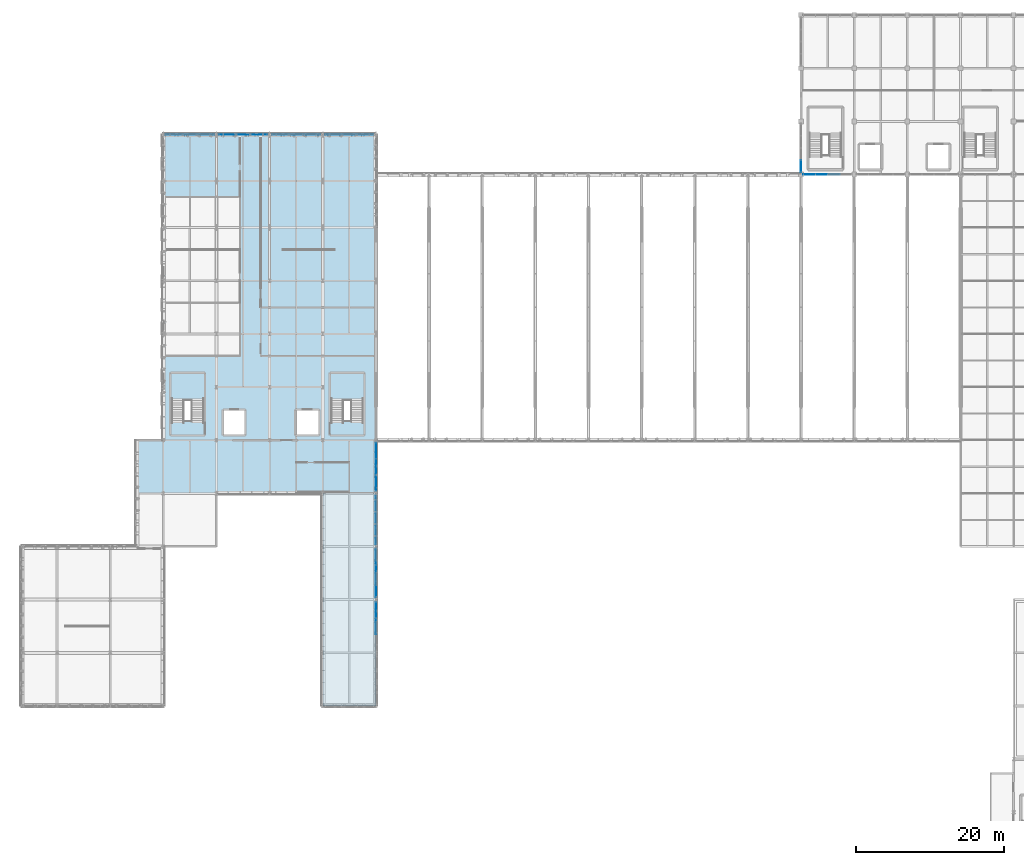
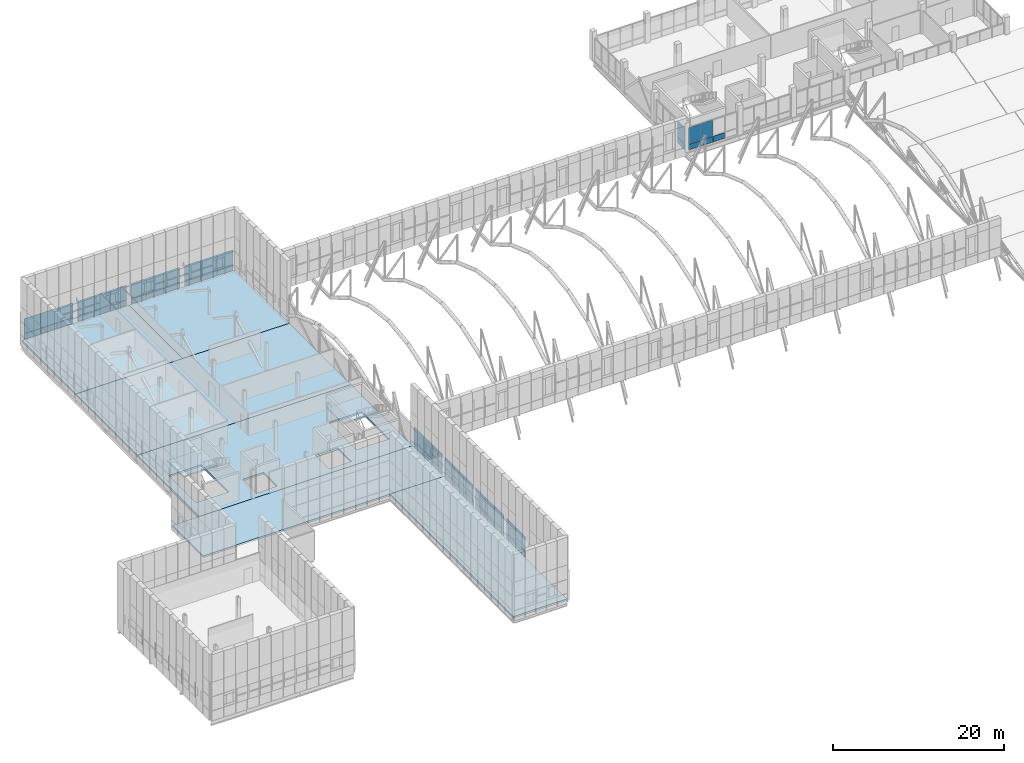
# One storey, part 92 of 144: 53 plates, 8 slabs, 12 elements without a shape of their own.
"""IFC4 building model written with IfcOpenShell, lengths in metres."""

from ifc_helpers import new_model, si_unit, direction, frame, origin, origin_2d, place, context, subcontext, project, spatial, polyline, rectangle, outline, extrude, material, layer, layer_set, type_object, element, aggregate, save


model = new_model("IFC4")

# Units and contexts
model_context = context("Model", 3, precision=1e-05, world=origin(), true_north=direction((0.0, 1.0)))
body_context = subcontext(model_context, "Body", "Model", "MODEL_VIEW")
ifc_project = project(units=[si_unit("LENGTHUNIT", "METRE"), si_unit("AREAUNIT", "SQUARE_METRE"), si_unit("VOLUMEUNIT", "CUBIC_METRE"), si_unit("PLANEANGLEUNIT", "RADIAN"), si_unit("MASSUNIT", "GRAM", prefix="KILO")], contexts=[model_context])

# Site, building, storey
site_placement = place(None, origin())
site = spatial("IfcSite", under=ifc_project, at=site_placement, CompositionType="ELEMENT")
building_placement = place(site_placement, origin())
building = spatial("IfcBuilding", under=site, at=building_placement, Name="Yarey Park Central Fire Station", CompositionType="ELEMENT")
storey_placement = place(building_placement, frame((0.0, 0.0, 10.199951171875)))
storey = spatial("IfcBuildingStorey", under=building, at=storey_placement, Name="L03", CompositionType="ELEMENT", Elevation=10.199951171875)

# Curtain wall, plates
ifc_material_1 = material(Name="Anodized Aluminium Frame", Category="aluminium")
curtain_wall_type_1 = type_object("IfcCurtainWallType", Name="ENV_CW_V3_OVR1", PredefinedType="NOTDEFINED", material=ifc_material_1)
curtain_wall_1_placement = place(storey_placement, origin())
curtain_wall_1 = element("IfcCurtainWall", 1, at=curtain_wall_1_placement, inside=storey, type_object=curtain_wall_type_1, Name="CW_L03_V3_N_044", PredefinedType="NOTDEFINED")
ifc_material_2 = material(Name="Insulated Aluminium Spandrel Panel", Category="aluminium")
ifc_layer_1 = layer(ifc_material_2, 0.055908203125)
ifc_layer_set_1 = layer_set([ifc_layer_1], Name="Insulated Aluminium Spandrel Panel")
plate_type_1 = type_object("IfcPlateType", Name="ENV_PNL_SPN_01", PredefinedType="CURTAIN_PANEL", material=ifc_layer_set_1)
plate_1_placement = place(storey_placement, frame((41.793212890625, 99.0, 0.04248046875), z_axis=(0.0, 0.0, 1.0), x_axis=(-1.0, 0.0, 0.0)))
plate_1 = element("IfcPlate", 2, at=plate_1_placement, type_object=plate_type_1, Name="CW_L03_V3_N_044_PNL01", PredefinedType="CURTAIN_PANEL", context=body_context, shape_type="SweptSolid", body=[
    extrude(rectangle(XDim=2.1533203125, YDim=0.055908203125, at=origin_2d()), origin(), (0.0, 0.0, 1.0), 0.7900390625),
])
plate_2_placement = place(storey_placement, frame((39.60009765625, 99.0, 0.04248046875), z_axis=(0.0, 0.0, 1.0), x_axis=(-1.0, 0.0, 0.0)))
plate_2 = element("IfcPlate", 3, at=plate_2_placement, type_object=plate_type_1, Name="CW_L03_V3_N_044_PNL03", PredefinedType="CURTAIN_PANEL", context=body_context, shape_type="SweptSolid", body=[
    extrude(rectangle(XDim=2.1533203125, YDim=0.055908203125, at=origin_2d()), origin(), (0.0, 0.0, 1.0), 0.7900390625),
])
plate_3_placement = place(storey_placement, frame((37.40673828125, 99.0, 0.04248046875), z_axis=(0.0, 0.0, 1.0), x_axis=(-1.0, 0.0, 0.0)))
plate_3 = element("IfcPlate", 4, at=plate_3_placement, type_object=plate_type_1, Name="CW_L03_V3_N_044_PNL05", PredefinedType="CURTAIN_PANEL", context=body_context, shape_type="SweptSolid", body=[
    extrude(rectangle(XDim=2.1533203125, YDim=0.055908203125, at=origin_2d()), origin(), (0.0, 0.0, 1.0), 0.7900390625),
])

curtain_wall_2_placement = place(storey_placement, origin())
curtain_wall_2 = element("IfcCurtainWall", 5, at=curtain_wall_2_placement, inside=storey, type_object=curtain_wall_type_1, Name="CW_L03_V1_E_060", PredefinedType="NOTDEFINED")
plate_4_placement = place(storey_placement, frame((57.60009765625, 51.806640625, 0.04248046875), z_axis=(0.0, 0.0, 1.0), x_axis=(0.0, 1.0, 0.0)))
plate_4 = element("IfcPlate", 6, at=plate_4_placement, type_object=plate_type_1, Name="CW_L03_V1_E_060_PNL01", PredefinedType="CURTAIN_PANEL", context=body_context, shape_type="SweptSolid", body=[
    extrude(rectangle(XDim=2.1533203125, YDim=0.055908203125, at=origin_2d()), origin(), (0.0, 0.0, 1.0), 0.7900390625),
])
plate_5_placement = place(storey_placement, frame((57.60009765625, 54.0, 0.04248046875), z_axis=(0.0, 0.0, 1.0), x_axis=(0.0, 1.0, 0.0)))
plate_5 = element("IfcPlate", 7, at=plate_5_placement, type_object=plate_type_1, Name="CW_L03_V1_E_060_PNL03", PredefinedType="CURTAIN_PANEL", context=body_context, shape_type="SweptSolid", body=[
    extrude(rectangle(XDim=2.1533203125, YDim=0.055908203125, at=origin_2d()), origin(), (0.0, 0.0, 1.0), 0.7900390625),
])
plate_6_placement = place(storey_placement, frame((57.60009765625, 56.193359375, 0.04248046875), z_axis=(0.0, 0.0, 1.0), x_axis=(0.0, 1.0, 0.0)))
plate_6 = element("IfcPlate", 8, at=plate_6_placement, type_object=plate_type_1, Name="CW_L03_V1_E_060_PNL05", PredefinedType="CURTAIN_PANEL", context=body_context, shape_type="SweptSolid", body=[
    extrude(rectangle(XDim=2.1533203125, YDim=0.055908203125, at=origin_2d()), origin(), (0.0, 0.0, 1.0), 0.7900390625),
])

curtain_wall_3_placement = place(storey_placement, origin())
curtain_wall_3 = element("IfcCurtainWall", 9, at=curtain_wall_3_placement, inside=storey, type_object=curtain_wall_type_1, Name="CW_L03_V3_N_045", PredefinedType="NOTDEFINED")
ifc_layer_2 = layer(ifc_material_2, 0.068115234375)
ifc_layer_set_2 = layer_set([ifc_layer_2], Name="Insulated Aluminium Spandrel Panel")
plate_type_2 = type_object("IfcPlateType", Name="ENV_PNL_SPN_02", PredefinedType="CURTAIN_PANEL", material=ifc_layer_set_2)
plate_7_placement = place(storey_placement, frame((48.993408203125, 99.0, 0.04248046875), z_axis=(0.0, 0.0, 1.0), x_axis=(-1.0, 0.0, 0.0)))
plate_7 = element("IfcPlate", 10, at=plate_7_placement, type_object=plate_type_2, Name="CW_L03_V3_N_045_PNL01", PredefinedType="CURTAIN_PANEL", context=body_context, shape_type="SweptSolid", body=[
    extrude(rectangle(XDim=2.1533203125, YDim=0.068115234375, at=origin_2d()), origin(), (0.0, 0.0, 1.0), 0.7900390625),
])
plate_8_placement = place(storey_placement, frame((46.800048828125, 99.0, 0.04248046875), z_axis=(0.0, 0.0, 1.0), x_axis=(-1.0, 0.0, 0.0)))
plate_8 = element("IfcPlate", 11, at=plate_8_placement, type_object=plate_type_2, Name="CW_L03_V3_N_045_PNL03", PredefinedType="CURTAIN_PANEL", context=body_context, shape_type="SweptSolid", body=[
    extrude(rectangle(XDim=2.1533203125, YDim=0.068115234375, at=origin_2d()), origin(), (0.0, 0.0, 1.0), 0.7900390625),
])
plate_9_placement = place(storey_placement, frame((44.606689453125, 99.0, 0.04248046875), z_axis=(0.0, 0.0, 1.0), x_axis=(-1.0, 0.0, 0.0)))
plate_9 = element("IfcPlate", 12, at=plate_9_placement, type_object=plate_type_2, Name="CW_L03_V3_N_045_PNL05", PredefinedType="CURTAIN_PANEL", context=body_context, shape_type="SweptSolid", body=[
    extrude(rectangle(XDim=2.1533203125, YDim=0.068115234375, at=origin_2d()), origin(), (0.0, 0.0, 1.0), 0.7900390625),
])

curtain_wall_4_placement = place(storey_placement, origin())
curtain_wall_4 = element("IfcCurtainWall", 13, at=curtain_wall_4_placement, inside=storey, type_object=curtain_wall_type_1, Name="CW_L03_V1_E_057", PredefinedType="NOTDEFINED")
plate_10_placement = place(storey_placement, frame((57.60009765625, 32.39990234375, 0.04248046875), z_axis=(0.0, 0.0, 1.0), x_axis=(0.0, 1.0, 0.0)))
plate_10 = element("IfcPlate", 14, at=plate_10_placement, type_object=plate_type_2, Name="CW_L03_V1_E_057_PNL03", PredefinedType="CURTAIN_PANEL", context=body_context, shape_type="SweptSolid", body=[
    extrude(rectangle(XDim=2.1533203125, YDim=0.068115234375, at=origin_2d()), origin(), (0.0, 0.0, 1.0), 0.7900390625),
])
plate_11_placement = place(storey_placement, frame((57.60009765625, 34.59326171875, 0.04248046875), z_axis=(0.0, 0.0, 1.0), x_axis=(0.0, 1.0, 0.0)))
plate_11 = element("IfcPlate", 15, at=plate_11_placement, type_object=plate_type_2, Name="CW_L03_V1_E_057_PNL05", PredefinedType="CURTAIN_PANEL", context=body_context, shape_type="SweptSolid", body=[
    extrude(rectangle(XDim=2.1533203125, YDim=0.068115234375, at=origin_2d()), origin(), (0.0, 0.0, 1.0), 0.7900390625),
])

# Curtain wall, plate
curtain_wall_type_2 = type_object("IfcCurtainWallType", Name="ENV_CW_HQ_L03", PredefinedType="NOTDEFINED", material=ifc_material_1)
curtain_wall_5_placement = place(storey_placement, origin())
curtain_wall_5 = element("IfcCurtainWall", 16, at=curtain_wall_5_placement, inside=storey, type_object=curtain_wall_type_2, Name="CW_L03_V4_W_93", PredefinedType="NOTDEFINED")
plate_12_placement = place(storey_placement, frame((115.199951171875, 94.732421875, 0.04248046875), z_axis=(0.0, 0.0, 1.0), x_axis=(0.0, -1.0, 0.0)))
plate_12 = element("IfcPlate", 17, at=plate_12_placement, type_object=plate_type_2, Name="CW_L03_V4_W_93_PNL07", PredefinedType="CURTAIN_PANEL", context=body_context, shape_type="SweptSolid", body=[
    extrude(rectangle(XDim=1.60498046875, YDim=0.068115234375, at=origin_2d()), origin(), (0.0, 0.0, 1.0), 0.7900390625),
])

# Curtain wall, plates
curtain_wall_6_placement = place(storey_placement, origin())
curtain_wall_6 = element("IfcCurtainWall", 18, at=curtain_wall_6_placement, inside=storey, type_object=curtain_wall_type_1, Name="CW_L03_V3_N_046", PredefinedType="NOTDEFINED")
ifc_layer_3 = layer(ifc_material_2, 0.077880859375)
ifc_layer_set_3 = layer_set([ifc_layer_3], Name="Insulated Aluminium Spandrel Panel")
plate_type_3 = type_object("IfcPlateType", Name="ENV_PNL_SPN_03", PredefinedType="CURTAIN_PANEL", material=ifc_layer_set_3)
plate_13_placement = place(storey_placement, frame((56.193359375, 99.0, 0.04248046875), z_axis=(0.0, 0.0, 1.0), x_axis=(-1.0, 0.0, 0.0)))
plate_13 = element("IfcPlate", 19, at=plate_13_placement, type_object=plate_type_3, Name="CW_L03_V3_N_046_PNL01", PredefinedType="CURTAIN_PANEL", context=body_context, shape_type="SweptSolid", body=[
    extrude(rectangle(XDim=2.1533203125, YDim=0.077880859375, at=origin_2d()), origin(), (0.0, 0.0, 1.0), 0.7900390625),
])
plate_14_placement = place(storey_placement, frame((54.0, 99.0, 0.04248046875), z_axis=(0.0, 0.0, 1.0), x_axis=(-1.0, 0.0, 0.0)))
plate_14 = element("IfcPlate", 20, at=plate_14_placement, type_object=plate_type_3, Name="CW_L03_V3_N_046_PNL03", PredefinedType="CURTAIN_PANEL", context=body_context, shape_type="SweptSolid", body=[
    extrude(rectangle(XDim=2.1533203125, YDim=0.077880859375, at=origin_2d()), origin(), (0.0, 0.0, 1.0), 0.7900390625),
])
plate_15_placement = place(storey_placement, frame((51.806640625, 99.0, 0.04248046875), z_axis=(0.0, 0.0, 1.0), x_axis=(-1.0, 0.0, 0.0)))
plate_15 = element("IfcPlate", 21, at=plate_15_placement, type_object=plate_type_3, Name="CW_L03_V3_N_046_PNL05", PredefinedType="CURTAIN_PANEL", context=body_context, shape_type="SweptSolid", body=[
    extrude(rectangle(XDim=2.1533203125, YDim=0.077880859375, at=origin_2d()), origin(), (0.0, 0.0, 1.0), 0.7900390625),
])

curtain_wall_7_placement = place(storey_placement, origin())
curtain_wall_7 = element("IfcCurtainWall", 22, at=curtain_wall_7_placement, inside=storey, type_object=curtain_wall_type_1, Name="CW_L03_V1_E_058", PredefinedType="NOTDEFINED")
plate_16_placement = place(storey_placement, frame((57.60009765625, 37.40673828125, 0.04248046875), z_axis=(0.0, 0.0, 1.0), x_axis=(0.0, 1.0, 0.0)))
plate_16 = element("IfcPlate", 23, at=plate_16_placement, type_object=plate_type_3, Name="CW_L03_V1_E_058_PNL01", PredefinedType="CURTAIN_PANEL", context=body_context, shape_type="SweptSolid", body=[
    extrude(rectangle(XDim=2.1533203125, YDim=0.077880859375, at=origin_2d()), origin(), (0.0, 0.0, 1.0), 0.7900390625),
])
plate_17_placement = place(storey_placement, frame((57.60009765625, 39.60009765625, 0.04248046875), z_axis=(0.0, 0.0, 1.0), x_axis=(0.0, 1.0, 0.0)))
plate_17 = element("IfcPlate", 24, at=plate_17_placement, type_object=plate_type_3, Name="CW_L03_V1_E_058_PNL03", PredefinedType="CURTAIN_PANEL", context=body_context, shape_type="SweptSolid", body=[
    extrude(rectangle(XDim=2.1533203125, YDim=0.077880859375, at=origin_2d()), origin(), (0.0, 0.0, 1.0), 0.7900390625),
])
plate_18_placement = place(storey_placement, frame((57.60009765625, 41.793212890625, 0.04248046875), z_axis=(0.0, 0.0, 1.0), x_axis=(0.0, 1.0, 0.0)))
plate_18 = element("IfcPlate", 25, at=plate_18_placement, type_object=plate_type_3, Name="CW_L03_V1_E_058_PNL05", PredefinedType="CURTAIN_PANEL", context=body_context, shape_type="SweptSolid", body=[
    extrude(rectangle(XDim=2.1533203125, YDim=0.077880859375, at=origin_2d()), origin(), (0.0, 0.0, 1.0), 0.7900390625),
])

curtain_wall_8_placement = place(storey_placement, origin())
curtain_wall_8 = element("IfcCurtainWall", 26, at=curtain_wall_8_placement, inside=storey, type_object=curtain_wall_type_2, Name="CW_L03_V4_S_1", PredefinedType="NOTDEFINED")
plate_19_placement = place(storey_placement, frame((116.33251953125, 93.60009765625, 0.04248046875), z_axis=(0.0, 0.0, 1.0), x_axis=(1.0, 0.0, 0.0)))
plate_19 = element("IfcPlate", 27, at=plate_19_placement, type_object=plate_type_3, Name="CW_L03_V4_S_1_PNL01", PredefinedType="CURTAIN_PANEL", context=body_context, shape_type="SweptSolid", body=[
    extrude(rectangle(XDim=1.60498046875, YDim=0.077880859375, at=origin_2d()), origin(), (0.0, 0.0, 1.0), 0.7900390625),
])
plate_20_placement = place(storey_placement, frame((117.9775390625, 93.60009765625, 0.04248046875), z_axis=(0.0, 0.0, 1.0), x_axis=(1.0, 0.0, 0.0)))
plate_20 = element("IfcPlate", 28, at=plate_20_placement, type_object=plate_type_3, Name="CW_L03_V4_S_1_PNL03", PredefinedType="CURTAIN_PANEL", context=body_context, shape_type="SweptSolid", body=[
    extrude(rectangle(XDim=1.60498046875, YDim=0.077880859375, at=origin_2d()), origin(), (0.0, 0.0, 1.0), 0.7900390625),
])
plate_21_placement = place(storey_placement, frame((119.62255859375, 93.60009765625, 0.04248046875), z_axis=(0.0, 0.0, 1.0), x_axis=(1.0, 0.0, 0.0)))
plate_21 = element("IfcPlate", 29, at=plate_21_placement, type_object=plate_type_3, Name="CW_L03_V4_S_1_PNL05", PredefinedType="CURTAIN_PANEL", context=body_context, shape_type="SweptSolid", body=[
    extrude(rectangle(XDim=1.60498046875, YDim=0.077880859375, at=origin_2d()), origin(), (0.0, 0.0, 1.0), 0.7900390625),
])

curtain_wall_9_placement = place(storey_placement, origin())
curtain_wall_9 = element("IfcCurtainWall", 30, at=curtain_wall_9_placement, inside=storey, type_object=curtain_wall_type_1, Name="CW_L03_V3_N_043", PredefinedType="NOTDEFINED")
ifc_layer_4 = layer(ifc_material_2, 0.087890625)
ifc_layer_set_4 = layer_set([ifc_layer_4], Name="Insulated Aluminium Spandrel Panel")
plate_type_4 = type_object("IfcPlateType", Name="ENV_PNL_SPN_04", PredefinedType="CURTAIN_PANEL", material=ifc_layer_set_4)
plate_22_placement = place(storey_placement, frame((34.59326171875, 99.0, 0.04248046875), z_axis=(0.0, 0.0, 1.0), x_axis=(-1.0, 0.0, 0.0)))
plate_22 = element("IfcPlate", 31, at=plate_22_placement, type_object=plate_type_4, Name="CW_L03_V3_N_043_PNL01", PredefinedType="CURTAIN_PANEL", context=body_context, shape_type="SweptSolid", body=[
    extrude(rectangle(XDim=2.1533203125, YDim=0.087890625, at=origin_2d()), origin(), (0.0, 0.0, 1.0), 0.7900390625),
])
plate_23_placement = place(storey_placement, frame((32.39990234375, 99.0, 0.04248046875), z_axis=(0.0, 0.0, 1.0), x_axis=(-1.0, 0.0, 0.0)))
plate_23 = element("IfcPlate", 32, at=plate_23_placement, type_object=plate_type_4, Name="CW_L03_V3_N_043_PNL03", PredefinedType="CURTAIN_PANEL", context=body_context, shape_type="SweptSolid", body=[
    extrude(rectangle(XDim=2.1533203125, YDim=0.087890625, at=origin_2d()), origin(), (0.0, 0.0, 1.0), 0.7900390625),
])
plate_24_placement = place(storey_placement, frame((30.206787109375, 99.0, 0.04248046875), z_axis=(0.0, 0.0, 1.0), x_axis=(-1.0, 0.0, 0.0)))
plate_24 = element("IfcPlate", 33, at=plate_24_placement, type_object=plate_type_4, Name="CW_L03_V3_N_043_PNL05", PredefinedType="CURTAIN_PANEL", context=body_context, shape_type="SweptSolid", body=[
    extrude(rectangle(XDim=2.1533203125, YDim=0.087890625, at=origin_2d()), origin(), (0.0, 0.0, 1.0), 0.7900390625),
])

curtain_wall_10_placement = place(storey_placement, origin())
curtain_wall_10 = element("IfcCurtainWall", 34, at=curtain_wall_10_placement, inside=storey, type_object=curtain_wall_type_1, Name="CW_L03_V1_E_059", PredefinedType="NOTDEFINED")
plate_25_placement = place(storey_placement, frame((57.60009765625, 44.606689453125, 0.04248046875), z_axis=(0.0, 0.0, 1.0), x_axis=(0.0, 1.0, 0.0)))
plate_25 = element("IfcPlate", 35, at=plate_25_placement, type_object=plate_type_4, Name="CW_L03_V1_E_059_PNL01", PredefinedType="CURTAIN_PANEL", context=body_context, shape_type="SweptSolid", body=[
    extrude(rectangle(XDim=2.1533203125, YDim=0.087890625, at=origin_2d()), origin(), (0.0, 0.0, 1.0), 0.7900390625),
])
plate_26_placement = place(storey_placement, frame((57.60009765625, 46.800048828125, 0.04248046875), z_axis=(0.0, 0.0, 1.0), x_axis=(0.0, 1.0, 0.0)))
plate_26 = element("IfcPlate", 36, at=plate_26_placement, type_object=plate_type_4, Name="CW_L03_V1_E_059_PNL03", PredefinedType="CURTAIN_PANEL", context=body_context, shape_type="SweptSolid", body=[
    extrude(rectangle(XDim=2.1533203125, YDim=0.087890625, at=origin_2d()), origin(), (0.0, 0.0, 1.0), 0.7900390625),
])
plate_27_placement = place(storey_placement, frame((57.60009765625, 48.993408203125, 0.04248046875), z_axis=(0.0, 0.0, 1.0), x_axis=(0.0, 1.0, 0.0)))
plate_27 = element("IfcPlate", 37, at=plate_27_placement, type_object=plate_type_4, Name="CW_L03_V1_E_059_PNL05", PredefinedType="CURTAIN_PANEL", context=body_context, shape_type="SweptSolid", body=[
    extrude(rectangle(XDim=2.1533203125, YDim=0.087890625, at=origin_2d()), origin(), (0.0, 0.0, 1.0), 0.7900390625),
])

# Plate
ifc_material_3 = material(Name="Laminated Hurricane Low-E Glass", Category="glass")
ifc_layer_5 = layer(ifc_material_3, 0.02392578125)
ifc_layer_set_5 = layer_set([ifc_layer_5], Name="Laminated Hurricane Low-E Glass")
plate_type_5 = type_object("IfcPlateType", Name="ENV_PNL_VIS_01", PredefinedType="CURTAIN_PANEL", material=ifc_layer_set_5)
plate_28_placement = place(storey_placement, frame((41.793212890625, 99.0, 0.86767578125), z_axis=(0.0, 0.0, 1.0), x_axis=(-1.0, 0.0, 0.0)))
plate_28 = element("IfcPlate", 38, at=plate_28_placement, type_object=plate_type_5, Name="CW_L03_V3_N_044_PNL02", PredefinedType="CURTAIN_PANEL", context=body_context, shape_type="SweptSolid", body=[
    extrude(rectangle(XDim=2.1533203125, YDim=0.02392578125, at=origin_2d()), origin(), (0.0, 0.0, 1.0), 2.090087890625),
])

plate_29_placement = place(storey_placement, frame((39.60009765625, 99.0, 0.86767578125), z_axis=(0.0, 0.0, 1.0), x_axis=(-1.0, 0.0, 0.0)))
plate_29 = element("IfcPlate", 39, at=plate_29_placement, type_object=plate_type_5, Name="CW_L03_V3_N_044_PNL04", PredefinedType="CURTAIN_PANEL", context=body_context, shape_type="SweptSolid", body=[
    extrude(rectangle(XDim=2.1533203125, YDim=0.02392578125, at=origin_2d()), origin(), (0.0, 0.0, 1.0), 2.090087890625),
])

plate_30_placement = place(storey_placement, frame((37.40673828125, 99.0, 0.86767578125), z_axis=(0.0, 0.0, 1.0), x_axis=(-1.0, 0.0, 0.0)))
plate_30 = element("IfcPlate", 40, at=plate_30_placement, type_object=plate_type_5, Name="CW_L03_V3_N_044_PNL06", PredefinedType="CURTAIN_PANEL", context=body_context, shape_type="SweptSolid", body=[
    extrude(rectangle(XDim=2.1533203125, YDim=0.02392578125, at=origin_2d()), origin(), (0.0, 0.0, 1.0), 2.090087890625),
])

aggregate(curtain_wall_1, [plate_1, plate_28, plate_2, plate_29, plate_3, plate_30])

plate_31_placement = place(storey_placement, frame((57.60009765625, 51.806640625, 0.86767578125), z_axis=(0.0, 0.0, 1.0), x_axis=(0.0, 1.0, 0.0)))
plate_31 = element("IfcPlate", 41, at=plate_31_placement, type_object=plate_type_5, Name="CW_L03_V1_E_060_PNL02", PredefinedType="CURTAIN_PANEL", context=body_context, shape_type="SweptSolid", body=[
    extrude(rectangle(XDim=2.1533203125, YDim=0.02392578125, at=origin_2d()), origin(), (0.0, 0.0, 1.0), 2.090087890625),
])

plate_32_placement = place(storey_placement, frame((57.60009765625, 54.0, 0.86767578125), z_axis=(0.0, 0.0, 1.0), x_axis=(0.0, 1.0, 0.0)))
plate_32 = element("IfcPlate", 42, at=plate_32_placement, type_object=plate_type_5, Name="CW_L03_V1_E_060_PNL04", PredefinedType="CURTAIN_PANEL", context=body_context, shape_type="SweptSolid", body=[
    extrude(rectangle(XDim=2.1533203125, YDim=0.02392578125, at=origin_2d()), origin(), (0.0, 0.0, 1.0), 2.090087890625),
])

plate_33_placement = place(storey_placement, frame((57.60009765625, 56.193359375, 0.86767578125), z_axis=(0.0, 0.0, 1.0), x_axis=(0.0, 1.0, 0.0)))
plate_33 = element("IfcPlate", 43, at=plate_33_placement, type_object=plate_type_5, Name="CW_L03_V1_E_060_PNL06", PredefinedType="CURTAIN_PANEL", context=body_context, shape_type="SweptSolid", body=[
    extrude(rectangle(XDim=2.1533203125, YDim=0.02392578125, at=origin_2d()), origin(), (0.0, 0.0, 1.0), 2.090087890625),
])

aggregate(curtain_wall_2, [plate_4, plate_31, plate_5, plate_32, plate_6, plate_33])

ifc_layer_6 = layer(ifc_material_3, 0.031982421875)
ifc_layer_set_6 = layer_set([ifc_layer_6], Name="Laminated Hurricane Low-E Glass")
plate_type_6 = type_object("IfcPlateType", Name="ENV_PNL_VIS_02", PredefinedType="CURTAIN_PANEL", material=ifc_layer_set_6)
plate_34_placement = place(storey_placement, frame((48.993408203125, 99.0, 0.86767578125), z_axis=(0.0, 0.0, 1.0), x_axis=(-1.0, 0.0, 0.0)))
plate_34 = element("IfcPlate", 44, at=plate_34_placement, type_object=plate_type_6, Name="CW_L03_V3_N_045_PNL02", PredefinedType="CURTAIN_PANEL", context=body_context, shape_type="SweptSolid", body=[
    extrude(rectangle(XDim=2.1533203125, YDim=0.031982421875, at=origin_2d()), origin(), (0.0, 0.0, 1.0), 2.090087890625),
])

plate_35_placement = place(storey_placement, frame((46.800048828125, 99.0, 0.86767578125), z_axis=(0.0, 0.0, 1.0), x_axis=(-1.0, 0.0, 0.0)))
plate_35 = element("IfcPlate", 45, at=plate_35_placement, type_object=plate_type_6, Name="CW_L03_V3_N_045_PNL04", PredefinedType="CURTAIN_PANEL", context=body_context, shape_type="SweptSolid", body=[
    extrude(rectangle(XDim=2.1533203125, YDim=0.031982421875, at=origin_2d()), origin(), (0.0, 0.0, 1.0), 2.090087890625),
])

plate_36_placement = place(storey_placement, frame((44.606689453125, 99.0, 0.86767578125), z_axis=(0.0, 0.0, 1.0), x_axis=(-1.0, 0.0, 0.0)))
plate_36 = element("IfcPlate", 46, at=plate_36_placement, type_object=plate_type_6, Name="CW_L03_V3_N_045_PNL06", PredefinedType="CURTAIN_PANEL", context=body_context, shape_type="SweptSolid", body=[
    extrude(rectangle(XDim=2.1533203125, YDim=0.031982421875, at=origin_2d()), origin(), (0.0, 0.0, 1.0), 2.090087890625),
])

aggregate(curtain_wall_3, [plate_7, plate_34, plate_8, plate_35, plate_9, plate_36])

plate_37_placement = place(storey_placement, frame((57.60009765625, 32.39990234375, 0.86767578125), z_axis=(0.0, 0.0, 1.0), x_axis=(0.0, 1.0, 0.0)))
plate_37 = element("IfcPlate", 47, at=plate_37_placement, type_object=plate_type_6, Name="CW_L03_V1_E_057_PNL04", PredefinedType="CURTAIN_PANEL", context=body_context, shape_type="SweptSolid", body=[
    extrude(rectangle(XDim=2.1533203125, YDim=0.031982421875, at=origin_2d()), origin(), (0.0, 0.0, 1.0), 2.090087890625),
])

plate_38_placement = place(storey_placement, frame((57.60009765625, 34.59326171875, 0.86767578125), z_axis=(0.0, 0.0, 1.0), x_axis=(0.0, 1.0, 0.0)))
plate_38 = element("IfcPlate", 48, at=plate_38_placement, type_object=plate_type_6, Name="CW_L03_V1_E_057_PNL06", PredefinedType="CURTAIN_PANEL", context=body_context, shape_type="SweptSolid", body=[
    extrude(rectangle(XDim=2.1533203125, YDim=0.031982421875, at=origin_2d()), origin(), (0.0, 0.0, 1.0), 2.090087890625),
])

aggregate(curtain_wall_4, [plate_10, plate_37, plate_11, plate_38])

plate_39_placement = place(storey_placement, frame((115.199951171875, 94.732421875, 0.86767578125), z_axis=(0.0, 0.0, 1.0), x_axis=(0.0, -1.0, 0.0)))
plate_39 = element("IfcPlate", 49, at=plate_39_placement, type_object=plate_type_6, Name="CW_L03_V4_W_93_PNL08", PredefinedType="CURTAIN_PANEL", context=body_context, shape_type="SweptSolid", body=[
    extrude(rectangle(XDim=1.60498046875, YDim=0.031982421875, at=origin_2d()), origin(), (0.0, 0.0, 1.0), 2.340087890625),
])

aggregate(curtain_wall_5, [plate_12, plate_39])

ifc_layer_7 = layer(ifc_material_3, 0.0380859375)
ifc_layer_set_7 = layer_set([ifc_layer_7], Name="Laminated Hurricane Low-E Glass")
plate_type_7 = type_object("IfcPlateType", Name="ENV_PNL_VIS_03", PredefinedType="CURTAIN_PANEL", material=ifc_layer_set_7)
plate_40_placement = place(storey_placement, frame((56.193359375, 99.0, 0.86767578125), z_axis=(0.0, 0.0, 1.0), x_axis=(-1.0, 0.0, 0.0)))
plate_40 = element("IfcPlate", 50, at=plate_40_placement, type_object=plate_type_7, Name="CW_L03_V3_N_046_PNL02", PredefinedType="CURTAIN_PANEL", context=body_context, shape_type="SweptSolid", body=[
    extrude(rectangle(XDim=2.1533203125, YDim=0.0380859375, at=origin_2d()), origin(), (0.0, 0.0, 1.0), 2.090087890625),
])

plate_41_placement = place(storey_placement, frame((54.0, 99.0, 0.86767578125), z_axis=(0.0, 0.0, 1.0), x_axis=(-1.0, 0.0, 0.0)))
plate_41 = element("IfcPlate", 51, at=plate_41_placement, type_object=plate_type_7, Name="CW_L03_V3_N_046_PNL04", PredefinedType="CURTAIN_PANEL", context=body_context, shape_type="SweptSolid", body=[
    extrude(rectangle(XDim=2.1533203125, YDim=0.0380859375, at=origin_2d()), origin(), (0.0, 0.0, 1.0), 2.090087890625),
])

plate_42_placement = place(storey_placement, frame((51.806640625, 99.0, 0.86767578125), z_axis=(0.0, 0.0, 1.0), x_axis=(-1.0, 0.0, 0.0)))
plate_42 = element("IfcPlate", 52, at=plate_42_placement, type_object=plate_type_7, Name="CW_L03_V3_N_046_PNL06", PredefinedType="CURTAIN_PANEL", context=body_context, shape_type="SweptSolid", body=[
    extrude(rectangle(XDim=2.1533203125, YDim=0.0380859375, at=origin_2d()), origin(), (0.0, 0.0, 1.0), 2.090087890625),
])

aggregate(curtain_wall_6, [plate_13, plate_40, plate_14, plate_41, plate_15, plate_42])

plate_43_placement = place(storey_placement, frame((57.60009765625, 37.40673828125, 0.86767578125), z_axis=(0.0, 0.0, 1.0), x_axis=(0.0, 1.0, 0.0)))
plate_43 = element("IfcPlate", 53, at=plate_43_placement, type_object=plate_type_7, Name="CW_L03_V1_E_058_PNL02", PredefinedType="CURTAIN_PANEL", context=body_context, shape_type="SweptSolid", body=[
    extrude(rectangle(XDim=2.1533203125, YDim=0.0380859375, at=origin_2d()), origin(), (0.0, 0.0, 1.0), 2.090087890625),
])

plate_44_placement = place(storey_placement, frame((57.60009765625, 39.60009765625, 0.86767578125), z_axis=(0.0, 0.0, 1.0), x_axis=(0.0, 1.0, 0.0)))
plate_44 = element("IfcPlate", 54, at=plate_44_placement, type_object=plate_type_7, Name="CW_L03_V1_E_058_PNL04", PredefinedType="CURTAIN_PANEL", context=body_context, shape_type="SweptSolid", body=[
    extrude(rectangle(XDim=2.1533203125, YDim=0.0380859375, at=origin_2d()), origin(), (0.0, 0.0, 1.0), 2.090087890625),
])

plate_45_placement = place(storey_placement, frame((57.60009765625, 41.793212890625, 0.86767578125), z_axis=(0.0, 0.0, 1.0), x_axis=(0.0, 1.0, 0.0)))
plate_45 = element("IfcPlate", 55, at=plate_45_placement, type_object=plate_type_7, Name="CW_L03_V1_E_058_PNL06", PredefinedType="CURTAIN_PANEL", context=body_context, shape_type="SweptSolid", body=[
    extrude(rectangle(XDim=2.1533203125, YDim=0.0380859375, at=origin_2d()), origin(), (0.0, 0.0, 1.0), 2.090087890625),
])

aggregate(curtain_wall_7, [plate_16, plate_43, plate_17, plate_44, plate_18, plate_45])

plate_46_placement = place(storey_placement, frame((116.33251953125, 93.60009765625, 0.86767578125), z_axis=(0.0, 0.0, 1.0), x_axis=(1.0, 0.0, 0.0)))
plate_46 = element("IfcPlate", 56, at=plate_46_placement, type_object=plate_type_7, Name="CW_L03_V4_S_1_PNL02", PredefinedType="CURTAIN_PANEL", context=body_context, shape_type="SweptSolid", body=[
    extrude(rectangle(XDim=1.60498046875, YDim=0.0380859375, at=origin_2d()), origin(), (0.0, 0.0, 1.0), 2.340087890625),
])

plate_47_placement = place(storey_placement, frame((117.9775390625, 93.60009765625, 0.86767578125), z_axis=(0.0, 0.0, 1.0), x_axis=(1.0, 0.0, 0.0)))
plate_47 = element("IfcPlate", 57, at=plate_47_placement, type_object=plate_type_7, Name="CW_L03_V4_S_1_PNL04", PredefinedType="CURTAIN_PANEL", context=body_context, shape_type="SweptSolid", body=[
    extrude(rectangle(XDim=1.60498046875, YDim=0.0380859375, at=origin_2d()), origin(), (0.0, 0.0, 1.0), 2.340087890625),
])

aggregate(curtain_wall_8, [plate_19, plate_46, plate_20, plate_47, plate_21])

ifc_layer_8 = layer(ifc_material_3, 0.0458984375)
ifc_layer_set_8 = layer_set([ifc_layer_8], Name="Laminated Hurricane Low-E Glass")
plate_type_8 = type_object("IfcPlateType", Name="ENV_PNL_VIS_04", PredefinedType="CURTAIN_PANEL", material=ifc_layer_set_8)
plate_48_placement = place(storey_placement, frame((34.59326171875, 99.0, 0.86767578125), z_axis=(0.0, 0.0, 1.0), x_axis=(-1.0, 0.0, 0.0)))
plate_48 = element("IfcPlate", 58, at=plate_48_placement, type_object=plate_type_8, Name="CW_L03_V3_N_043_PNL02", PredefinedType="CURTAIN_PANEL", context=body_context, shape_type="SweptSolid", body=[
    extrude(rectangle(XDim=2.1533203125, YDim=0.0458984375, at=origin_2d()), origin(), (0.0, 0.0, 1.0), 2.090087890625),
])

plate_49_placement = place(storey_placement, frame((32.39990234375, 99.0, 0.86767578125), z_axis=(0.0, 0.0, 1.0), x_axis=(-1.0, 0.0, 0.0)))
plate_49 = element("IfcPlate", 59, at=plate_49_placement, type_object=plate_type_8, Name="CW_L03_V3_N_043_PNL04", PredefinedType="CURTAIN_PANEL", context=body_context, shape_type="SweptSolid", body=[
    extrude(rectangle(XDim=2.1533203125, YDim=0.0458984375, at=origin_2d()), origin(), (0.0, 0.0, 1.0), 2.090087890625),
])

plate_50_placement = place(storey_placement, frame((30.206787109375, 99.0, 0.86767578125), z_axis=(0.0, 0.0, 1.0), x_axis=(-1.0, 0.0, 0.0)))
plate_50 = element("IfcPlate", 60, at=plate_50_placement, type_object=plate_type_8, Name="CW_L03_V3_N_043_PNL06", PredefinedType="CURTAIN_PANEL", context=body_context, shape_type="SweptSolid", body=[
    extrude(rectangle(XDim=2.1533203125, YDim=0.0458984375, at=origin_2d()), origin(), (0.0, 0.0, 1.0), 2.090087890625),
])

aggregate(curtain_wall_9, [plate_22, plate_48, plate_23, plate_49, plate_24, plate_50])

plate_51_placement = place(storey_placement, frame((57.60009765625, 44.606689453125, 0.86767578125), z_axis=(0.0, 0.0, 1.0), x_axis=(0.0, 1.0, 0.0)))
plate_51 = element("IfcPlate", 61, at=plate_51_placement, type_object=plate_type_8, Name="CW_L03_V1_E_059_PNL02", PredefinedType="CURTAIN_PANEL", context=body_context, shape_type="SweptSolid", body=[
    extrude(rectangle(XDim=2.1533203125, YDim=0.0458984375, at=origin_2d()), origin(), (0.0, 0.0, 1.0), 2.090087890625),
])

plate_52_placement = place(storey_placement, frame((57.60009765625, 46.800048828125, 0.86767578125), z_axis=(0.0, 0.0, 1.0), x_axis=(0.0, 1.0, 0.0)))
plate_52 = element("IfcPlate", 62, at=plate_52_placement, type_object=plate_type_8, Name="CW_L03_V1_E_059_PNL04", PredefinedType="CURTAIN_PANEL", context=body_context, shape_type="SweptSolid", body=[
    extrude(rectangle(XDim=2.1533203125, YDim=0.0458984375, at=origin_2d()), origin(), (0.0, 0.0, 1.0), 2.090087890625),
])

plate_53_placement = place(storey_placement, frame((57.60009765625, 48.993408203125, 0.86767578125), z_axis=(0.0, 0.0, 1.0), x_axis=(0.0, 1.0, 0.0)))
plate_53 = element("IfcPlate", 63, at=plate_53_placement, type_object=plate_type_8, Name="CW_L03_V1_E_059_PNL06", PredefinedType="CURTAIN_PANEL", context=body_context, shape_type="SweptSolid", body=[
    extrude(rectangle(XDim=2.1533203125, YDim=0.0458984375, at=origin_2d()), origin(), (0.0, 0.0, 1.0), 2.090087890625),
])

aggregate(curtain_wall_10, [plate_25, plate_51, plate_26, plate_52, plate_27, plate_53])

# Stair, slab
ifc_material_4 = material(Name="Concrete C40/50", Category="concrete")
stair_type = type_object("IfcStairType", Name="INT_ST_2RUN_150_H42", PredefinedType="USERDEFINED", material=ifc_material_4)
stair_1_placement = place(storey_placement, origin())
stair_1 = element("IfcStair", 64, at=stair_1_placement, inside=storey, type_object=stair_type, Name="Exit Stair ST-3 L03", ObjectType="TWO_RUN_STAIR", PredefinedType="USERDEFINED")
ifc_layer_9 = layer(ifc_material_4, 0.205078125)
ifc_layer_set_9 = layer_set([ifc_layer_9], Name="Concrete C40/50")
slab_type_1 = type_object("IfcSlabType", Name="INT_SLAB_LND205", PredefinedType="LANDING", material=ifc_layer_set_9)
slab_1_placement = place(storey_placement, frame((0.0, 0.0, 1.89501953125)))
slab_1 = element("IfcSlab", 65, at=slab_1_placement, type_object=slab_type_1, Name="STAIR_C3_L03_LND", PredefinedType="LANDING", context=body_context, shape_type="SweptSolid", body=[
    extrude(outline(polyline([(29.75, 63.0), (34.449951171875, 63.0), (34.449951171875, 66.75), (29.75, 66.75), (29.75, 63.0)])), origin(), (0.0, 0.0, 1.0), 0.205078125),
])
aggregate(stair_1, [slab_1])

stair_2_placement = place(storey_placement, origin())
stair_2 = element("IfcStair", 66, at=stair_2_placement, inside=storey, type_object=stair_type, Name="Exit Stair ST-4 L03", ObjectType="TWO_RUN_STAIR", PredefinedType="USERDEFINED")
slab_2_placement = place(storey_placement, frame((0.0, 0.0, 1.89501953125)))
slab_2 = element("IfcSlab", 67, at=slab_2_placement, type_object=slab_type_1, Name="STAIR_C4_L03_LND", PredefinedType="LANDING", context=body_context, shape_type="SweptSolid", body=[
    extrude(outline(polyline([(51.35009765625, 63.0), (56.050048828125, 63.0), (56.050048828125, 66.75), (51.35009765625, 66.75), (51.35009765625, 63.0)])), origin(), (0.0, 0.0, 1.0), 0.205078125),
])
aggregate(stair_2, [slab_2])

# Slabs
ifc_layer_10 = layer(ifc_material_4, 0.260009765625)
ifc_layer_set_10 = layer_set([ifc_layer_10], Name="Concrete C40/50")
slab_type_2 = type_object("IfcSlabType", Name="STR_SLAB_F260", PredefinedType="FLOOR", material=ifc_layer_set_10)
slab_3_placement = place(storey_placement, frame((0.0, 0.0, -0.260009765625)))
element("IfcSlab", 68, at=slab_3_placement, inside=storey, type_object=slab_type_2, Name="SLAB_L03_V1_E", PredefinedType="FLOOR", context=body_context, shape_type="SweptSolid", body=[
    extrude(outline(polyline([(50.39990234375, 21.60009765625), (57.60009765625, 21.60009765625), (57.60009765625, 50.39990234375), (50.39990234375, 50.39990234375), (50.39990234375, 21.60009765625)])), origin(), (0.0, 0.0, 1.0), 0.260009765625),
])
slab_4_placement = place(storey_placement, frame((0.0, 0.0, -0.260009765625)))
element("IfcSlab", 69, at=slab_4_placement, inside=storey, type_object=slab_type_2, Name="SLAB_L03_V1_N", PredefinedType="FLOOR", context=body_context, shape_type="SweptSolid", body=[
    extrude(outline(polyline([(25.199951171875, 50.39990234375), (57.60009765625, 50.39990234375), (57.60009765625, 57.60009765625), (25.199951171875, 57.60009765625), (25.199951171875, 50.39990234375)])), origin(), (0.0, 0.0, 1.0), 0.260009765625),
])
slab_5_placement = place(storey_placement, frame((0.0, 0.0, -0.260009765625)))
element("IfcSlab", 70, at=slab_5_placement, inside=storey, type_object=slab_type_2, Name="SLAB_L03_V3_S", PredefinedType="FLOOR", context=body_context, shape_type="SweptSolid", body=[
    extrude(outline(polyline([(28.800048828125, 57.60009765625), (57.60009765625, 57.60009765625), (57.60009765625, 72.0), (28.800048828125, 72.0), (28.800048828125, 57.60009765625)]), holes=[polyline([(29.89990234375, 60.199951171875), (34.300048828125, 60.199951171875), (34.300048828125, 66.60009765625), (29.89990234375, 66.60009765625), (29.89990234375, 60.199951171875)]), polyline([(37.0, 58.39990234375), (39.800048828125, 58.39990234375), (39.800048828125, 61.60009765625), (37.0, 61.60009765625), (37.0, 58.39990234375)]), polyline([(51.5, 60.199951171875), (55.89990234375, 60.199951171875), (55.89990234375, 66.60009765625), (51.5, 66.60009765625), (51.5, 60.199951171875)]), polyline([(46.800048828125, 58.39990234375), (49.800048828125, 58.39990234375), (49.800048828125, 61.60009765625), (46.800048828125, 61.60009765625), (46.800048828125, 58.39990234375)])]), origin(), (0.0, 0.0, 1.0), 0.260009765625),
])
slab_6_placement = place(storey_placement, frame((0.0, 0.0, -0.260009765625)))
element("IfcSlab", 71, at=slab_6_placement, inside=storey, type_object=slab_type_2, Name="SLAB_L03_V3_M", PredefinedType="FLOOR", context=body_context, shape_type="SweptSolid", body=[
    extrude(outline(polyline([(28.800048828125, 72.0), (57.60009765625, 72.0), (57.60009765625, 86.39990234375), (28.800048828125, 86.39990234375), (28.800048828125, 72.0)])), origin(), (0.0, 0.0, 1.0), 0.260009765625),
])
slab_7_placement = place(storey_placement, frame((0.0, 0.0, -0.260009765625)))
element("IfcSlab", 72, at=slab_7_placement, inside=storey, type_object=slab_type_2, Name="SLAB_L03_V3_CANT1", PredefinedType="FLOOR", context=body_context, shape_type="SweptSolid", body=[
    extrude(outline(polyline([(28.800048828125, 86.39990234375), (43.199951171875, 86.39990234375), (43.199951171875, 99.0), (28.800048828125, 99.0), (28.800048828125, 86.39990234375)])), origin(), (0.0, 0.0, 1.0), 0.260009765625),
])
slab_8_placement = place(storey_placement, frame((0.0, 0.0, -0.260009765625)))
element("IfcSlab", 73, at=slab_8_placement, inside=storey, type_object=slab_type_2, Name="SLAB_L03_V3_CANT2", PredefinedType="FLOOR", context=body_context, shape_type="SweptSolid", body=[
    extrude(outline(polyline([(43.199951171875, 86.39990234375), (57.60009765625, 86.39990234375), (57.60009765625, 99.0), (43.199951171875, 99.0), (43.199951171875, 86.39990234375)])), origin(), (0.0, 0.0, 1.0), 0.260009765625),
])

save(model, "model.ifc")
